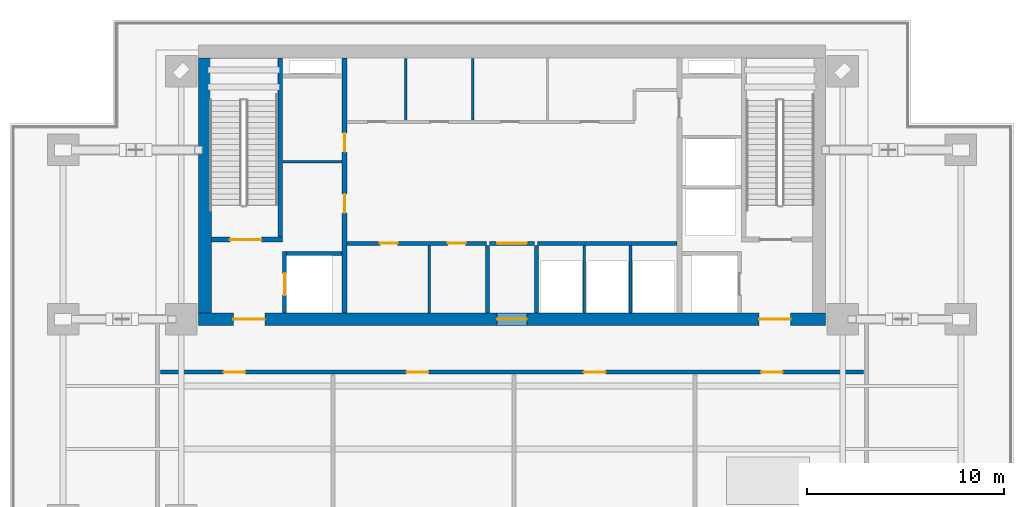
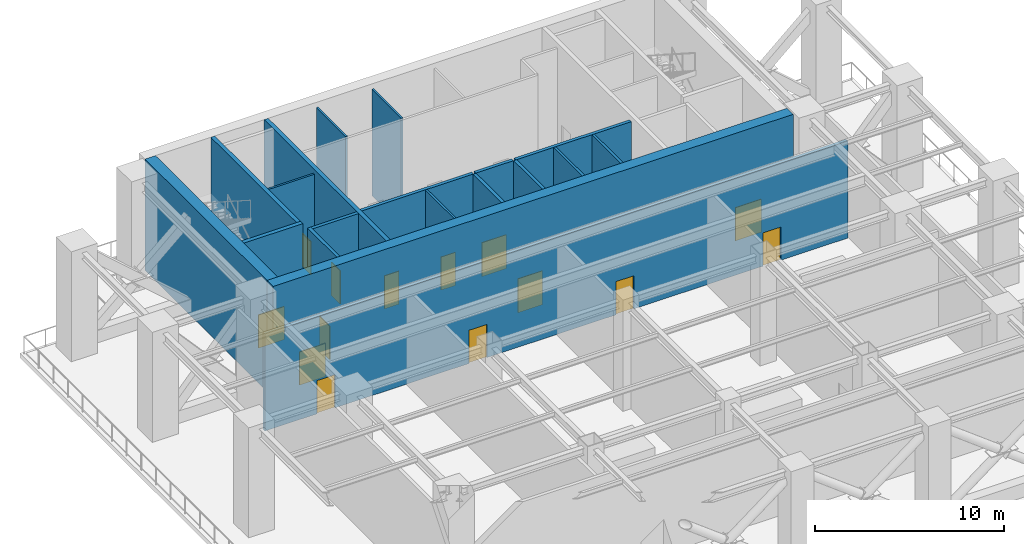
# One storey, part 3 of 9: 19 walls, 14 doors, 14 openings.
"""IFC4 building model written with IfcOpenShell, lengths in metres."""

from ifc_helpers import new_model, si_unit, direction, frame, frame_2d, origin, place, context, subcontext, project, spatial, rectangle, extrude, source, transform, mapped, material, layer, layer_set, type_object, element, fill, save


model = new_model("IFC4")

# Units and contexts
model_context = context("Model", 3, precision=1e-05, world=origin(), true_north=direction((0.0, 1.0)))
body_context = subcontext(model_context, "Body", "Model", "MODEL_VIEW")
ifc_project = project(units=[si_unit("LENGTHUNIT", "METRE"), si_unit("AREAUNIT", "SQUARE_METRE"), si_unit("VOLUMEUNIT", "CUBIC_METRE"), si_unit("PLANEANGLEUNIT", "RADIAN"), si_unit("MASSUNIT", "GRAM", prefix="KILO")], contexts=[model_context])

# Site, building, storey
site_placement = place(None, origin())
site = spatial("IfcSite", under=ifc_project, at=site_placement, CompositionType="ELEMENT")
building_placement = place(site_placement, origin())
building = spatial("IfcBuilding", under=site, at=building_placement, Name="Sumidabori Civic Tower", CompositionType="ELEMENT")
storey_placement = place(building_placement, frame((0.0, 0.0, 124.39990234375)))
storey = spatial("IfcBuildingStorey", under=building, at=storey_placement, Name="L32", CompositionType="ELEMENT", Elevation=124.39990234375)

# Wall
ifc_material_1 = material(Name="Concrete C50/60", Category="concrete")
ifc_layer_1 = layer(ifc_material_1, 0.199951171875, Name="Concrete C50/60")
ifc_layer_set_1 = layer_set([ifc_layer_1], Name="Concrete C50/60")
wall_type_1 = type_object("IfcWallType", Name="WL-SHAFT-200", PredefinedType="SHEAR", material=ifc_layer_set_1)
shared_shape_1 = source(origin(), body_context, "Body", "SweptSolid", [
    extrude(rectangle(XDim=2.824951171875, YDim=0.199951171875, at=frame_2d((1.41259765625, 0.0))), origin(), (0.0, 0.0, 1.0), 7.2001953125),
])
wall_1_placement = place(storey_placement, frame((-11.449951171875, 13.550048828125, 0.0), z_axis=(0.0, 0.0, 1.0), x_axis=(1.0, 0.0, 0.0)))
element("IfcWall", 1, at=wall_1_placement, inside=storey, type_object=wall_type_1, Name="Core Shear Wall L32 EL1-N", PredefinedType="SHEAR", context=body_context, shape_type="MappedRepresentation", body=[
    mapped(shared_shape_1, transform((0.0, 0.0, 0.0), x_axis=(1.0, 0.0, 0.0), y_axis=(0.0, 1.0, 0.0), z_axis=(0.0, 0.0, 1.0), scale=1.0)),
])

# Wall, openings, doors
ifc_material_2 = material(Name="Concrete C60/75", Category="concrete")
ifc_layer_2 = layer(ifc_material_2, 0.64990234375, Name="Concrete C60/75")
ifc_layer_set_2 = layer_set([ifc_layer_2], Name="Concrete C60/75")
wall_type_2 = type_object("IfcWallType", Name="WL-CORE-650", PredefinedType="SHEAR", material=ifc_layer_set_2)
shared_shape_2 = source(origin(), body_context, "Body", "SweptSolid", [
    extrude(rectangle(XDim=31.85009765625, YDim=0.64990234375, at=frame_2d((15.925048828125, 0.0))), origin(), (0.0, 0.0, 1.0), 7.2001953125),
])
wall_2_placement = place(storey_placement, frame((-15.925048828125, 10.199951171875, 0.0), z_axis=(0.0, 0.0, 1.0), x_axis=(1.0, 0.0, 0.0)))
wall_2 = element("IfcWall", 2, at=wall_2_placement, inside=storey, type_object=wall_type_2, Name="Core Shear Wall L32 S", PredefinedType="SHEAR", context=body_context, shape_type="MappedRepresentation", body=[
    mapped(shared_shape_2, transform((0.0, 0.0, 0.0), x_axis=(1.0, 0.0, 0.0), y_axis=(0.0, 1.0, 0.0), z_axis=(0.0, 0.0, 1.0), scale=1.0)),
])
opening_1_placement = place(wall_2_placement, frame((1.77490234375, 0.0, 0.0)))
opening_1 = element("IfcOpeningElement", 3, at=opening_1_placement, cuts=wall_2, Name="Opening DR-FD4", PredefinedType="OPENING", context=body_context, shape_type="SweptSolid", body=[
    extrude(rectangle(XDim=1.60009765625, YDim=2.14990234375, at=frame_2d((0.800048828125, 1.074951171875))), frame((0.0, 0.3369140625, 0.0), z_axis=(0.0, -1.0, 0.0), x_axis=(1.0, 0.0, 0.0)), (0.0, 0.0, 1.0), 0.673828125),
])
opening_2_placement = place(wall_2_placement, frame((28.47509765625, 0.0, 0.0)))
opening_2 = element("IfcOpeningElement", 4, at=opening_2_placement, cuts=wall_2, Name="Opening DR-FD4", PredefinedType="OPENING", context=body_context, shape_type="SweptSolid", body=[
    extrude(rectangle(XDim=1.60009765625, YDim=2.14990234375, at=frame_2d((0.800048828125, 1.074951171875))), frame((0.0, 0.3369140625, 0.0), z_axis=(0.0, -1.0, 0.0), x_axis=(1.0, 0.0, 0.0)), (0.0, 0.0, 1.0), 0.673828125),
])
opening_3_placement = place(wall_2_placement, frame((15.175048828125, 0.0, 0.0)))
opening_3 = element("IfcOpeningElement", 5, at=opening_3_placement, cuts=wall_2, Name="Opening DR-FD3", PredefinedType="OPENING", context=body_context, shape_type="SweptSolid", body=[
    extrude(rectangle(XDim=1.5, YDim=2.199951171875, at=frame_2d((0.75, 1.10009765625))), frame((0.0, 0.3369140625, 0.0), z_axis=(0.0, -1.0, 0.0), x_axis=(1.0, 0.0, 0.0)), (0.0, 0.0, 1.0), 0.673828125),
])
ifc_material_3 = material(Name="Steel SN490", Category="steel")
door_type_1 = type_object("IfcDoorType", Name="DR-FD4", OperationType="DOUBLE_DOOR_SINGLE_SWING", PredefinedType="DOOR", material=ifc_material_3)
shared_shape_3 = source(origin(), body_context, "Body", "SweptSolid", [
    extrude(rectangle(XDim=1.60009765625, YDim=2.14990234375, at=frame_2d((0.800048828125, 1.074951171875))), frame((0.0, 0.02490234375, 0.0), z_axis=(0.0, -1.0, 0.0), x_axis=(1.0, 0.0, 0.0)), (0.0, 0.0, 1.0), 0.050048828125),
])
door_1_placement = place(opening_1_placement, origin())
door_1 = element("IfcDoor", 6, at=door_1_placement, inside=storey, type_object=door_type_1, Name="Door DR:L32:ELOB-W", OperationType="DOUBLE_DOOR_SINGLE_SWING", OverallHeight=2.14990234375, OverallWidth=1.60009765625, PredefinedType="DOOR", context=body_context, shape_type="MappedRepresentation", body=[
    mapped(shared_shape_3, transform((0.0, 0.0, 0.0), x_axis=(1.0, 0.0, 0.0), y_axis=(0.0, 1.0, 0.0), z_axis=(0.0, 0.0, 1.0), scale=1.0)),
])
fill(opening_1, door_1)
door_2_placement = place(opening_2_placement, origin())
door_2 = element("IfcDoor", 7, at=door_2_placement, inside=storey, type_object=door_type_1, Name="Door DR:L32:ELOB-E", OperationType="DOUBLE_DOOR_SINGLE_SWING", OverallHeight=2.14990234375, OverallWidth=1.60009765625, PredefinedType="DOOR", context=body_context, shape_type="MappedRepresentation", body=[
    mapped(shared_shape_3, transform((0.0, 0.0, 0.0), x_axis=(1.0, 0.0, 0.0), y_axis=(0.0, 1.0, 0.0), z_axis=(0.0, 0.0, 1.0), scale=1.0)),
])
fill(opening_2, door_2)
door_type_2 = type_object("IfcDoorType", Name="DR-FD-DBL", OperationType="DOUBLE_DOOR_SINGLE_SWING", PredefinedType="DOOR", material=ifc_material_3)
shared_shape_4 = source(origin(), body_context, "Body", "SweptSolid", [
    extrude(rectangle(XDim=1.5, YDim=2.199951171875, at=frame_2d((0.75, 1.10009765625))), frame((0.0, 0.02490234375, 0.0), z_axis=(0.0, -1.0, 0.0), x_axis=(1.0, 0.0, 0.0)), (0.0, 0.0, 1.0), 0.050048828125),
])
door_3_placement = place(opening_3_placement, origin())
door_3 = element("IfcDoor", 8, at=door_3_placement, inside=storey, type_object=door_type_2, Name="Door DR:L32:THROAT-OUT", OperationType="DOUBLE_DOOR_SINGLE_SWING", OverallHeight=2.199951171875, OverallWidth=1.5, PredefinedType="DOOR", context=body_context, shape_type="MappedRepresentation", body=[
    mapped(shared_shape_4, transform((0.0, 0.0, 0.0), x_axis=(1.0, 0.0, 0.0), y_axis=(0.0, 1.0, 0.0), z_axis=(0.0, 0.0, 1.0), scale=1.0)),
])
fill(opening_3, door_3)

# Wall
shared_shape_5 = source(origin(), body_context, "Body", "SweptSolid", [
    extrude(rectangle(XDim=12.9501953125, YDim=0.64990234375, at=frame_2d((6.47509765625, 0.0))), origin(), (0.0, 0.0, 1.0), 7.2001953125),
])
wall_3_placement = place(storey_placement, frame((-15.60009765625, 10.52490234375, 0.0), z_axis=(0.0, 0.0, 1.0), x_axis=(0.0, 1.0, 0.0)))
element("IfcWall", 9, at=wall_3_placement, inside=storey, type_object=wall_type_2, Name="Core Shear Wall L32 W", PredefinedType="SHEAR", context=body_context, shape_type="MappedRepresentation", body=[
    mapped(shared_shape_5, transform((0.0, 0.0, 0.0), x_axis=(1.0, 0.0, 0.0), y_axis=(0.0, 1.0, 0.0), z_axis=(0.0, 0.0, 1.0), scale=1.0)),
])

# Wall, openings, doors
ifc_layer_3 = layer(ifc_material_1, 0.25, Name="Concrete C50/60")
ifc_layer_set_3 = layer_set([ifc_layer_3], Name="Concrete C50/60")
wall_type_3 = type_object("IfcWallType", Name="WL-SHAFT-250", PredefinedType="SHEAR", material=ifc_layer_set_3)
shared_shape_6 = source(origin(), body_context, "Body", "SweptSolid", [
    extrude(rectangle(XDim=12.9501953125, YDim=0.25, at=frame_2d((6.47509765625, 0.0))), origin(), (0.0, 0.0, 1.0), 7.2001953125),
])
wall_4_placement = place(storey_placement, frame((-8.5, 10.52490234375, 0.0), z_axis=(0.0, 0.0, 1.0), x_axis=(0.0, 1.0, 0.0)))
wall_4 = element("IfcWall", 10, at=wall_4_placement, inside=storey, type_object=wall_type_3, Name="Core Shear Wall L32 WEB-W", PredefinedType="SHEAR", context=body_context, shape_type="MappedRepresentation", body=[
    mapped(shared_shape_6, transform((0.0, 0.0, 0.0), x_axis=(1.0, 0.0, 0.0), y_axis=(0.0, 1.0, 0.0), z_axis=(0.0, 0.0, 1.0), scale=1.0)),
])
opening_4_placement = place(wall_4_placement, frame((5.074951171875, 0.0, 0.0)))
opening_4 = element("IfcOpeningElement", 11, at=opening_4_placement, cuts=wall_4, Name="Opening DR-FD2", PredefinedType="OPENING", context=body_context, shape_type="SweptSolid", body=[
    extrude(rectangle(XDim=0.949951171875, YDim=2.14990234375, at=frame_2d((0.47509765625, 1.074951171875))), frame((0.0, 0.136962890625, 0.0), z_axis=(0.0, -1.0, 0.0), x_axis=(1.0, 0.0, 0.0)), (0.0, 0.0, 1.0), 0.27392578125),
])
opening_5_placement = place(wall_4_placement, frame((8.175048828125, 0.0, 0.0)))
opening_5 = element("IfcOpeningElement", 12, at=opening_5_placement, cuts=wall_4, Name="Opening DR-FD2", PredefinedType="OPENING", context=body_context, shape_type="SweptSolid", body=[
    extrude(rectangle(XDim=0.949951171875, YDim=2.14990234375, at=frame_2d((0.47509765625, 1.074951171875))), frame((0.0, 0.136962890625, 0.0), z_axis=(0.0, -1.0, 0.0), x_axis=(1.0, 0.0, 0.0)), (0.0, 0.0, 1.0), 0.27392578125),
])
door_type_3 = type_object("IfcDoorType", Name="DR-FD2", OperationType="NOTDEFINED", PredefinedType="DOOR", material=ifc_material_3)
shared_shape_7 = source(origin(), body_context, "Body", "SweptSolid", [
    extrude(rectangle(XDim=0.949951171875, YDim=2.14990234375, at=frame_2d((0.47509765625, 1.074951171875))), frame((0.0, 0.02490234375, 0.0), z_axis=(0.0, -1.0, 0.0), x_axis=(1.0, 0.0, 0.0)), (0.0, 0.0, 1.0), 0.050048828125),
])
door_4_placement = place(opening_4_placement, origin())
door_4 = element("IfcDoor", 13, at=door_4_placement, inside=storey, type_object=door_type_3, Name="Door DR:L32:CW-S1", OperationType="SINGLE_SWING_LEFT", OverallHeight=2.14990234375, OverallWidth=0.949951171875, PredefinedType="DOOR", context=body_context, shape_type="MappedRepresentation", body=[
    mapped(shared_shape_7, transform((0.0, 0.0, 0.0), x_axis=(1.0, 0.0, 0.0), y_axis=(0.0, 1.0, 0.0), z_axis=(0.0, 0.0, 1.0), scale=1.0)),
])
fill(opening_4, door_4)
door_5_placement = place(opening_5_placement, origin())
door_5 = element("IfcDoor", 14, at=door_5_placement, inside=storey, type_object=door_type_3, Name="Door DR:L32:CW-S2", OperationType="SINGLE_SWING_RIGHT", OverallHeight=2.14990234375, OverallWidth=0.949951171875, PredefinedType="DOOR", context=body_context, shape_type="MappedRepresentation", body=[
    mapped(shared_shape_7, transform((0.0, 0.0, 0.0), x_axis=(1.0, 0.0, 0.0), y_axis=(0.0, 1.0, 0.0), z_axis=(0.0, 0.0, 1.0), scale=1.0)),
])
fill(opening_5, door_5)

# Wall, opening, door
shared_shape_8 = source(origin(), body_context, "Body", "SweptSolid", [
    extrude(rectangle(XDim=3.6298828125, YDim=0.25, at=frame_2d((1.81494140625, 0.0))), origin(), (0.0, 0.0, 1.0), 7.2001953125),
])
wall_5_placement = place(storey_placement, frame((-15.27490234375, 14.25, 0.0), z_axis=(0.0, 0.0, 1.0), x_axis=(1.0, 0.0, 0.0)))
wall_5 = element("IfcWall", 15, at=wall_5_placement, inside=storey, type_object=wall_type_3, Name="Core Shear Wall L32 ST1-S", PredefinedType="SHEAR", context=body_context, shape_type="MappedRepresentation", body=[
    mapped(shared_shape_8, transform((0.0, 0.0, 0.0), x_axis=(1.0, 0.0, 0.0), y_axis=(0.0, 1.0, 0.0), z_axis=(0.0, 0.0, 1.0), scale=1.0)),
])
opening_6_placement = place(wall_5_placement, frame((0.949951171875, 0.0, 0.0)))
opening_6 = element("IfcOpeningElement", 16, at=opening_6_placement, cuts=wall_5, Name="Opening DR-FD4", PredefinedType="OPENING", context=body_context, shape_type="SweptSolid", body=[
    extrude(rectangle(XDim=1.60009765625, YDim=2.14990234375, at=frame_2d((0.800048828125, 1.074951171875))), frame((0.0, 0.136962890625, 0.0), z_axis=(0.0, -1.0, 0.0), x_axis=(1.0, 0.0, 0.0)), (0.0, 0.0, 1.0), 0.27392578125),
])
door_6_placement = place(opening_6_placement, origin())
door_6 = element("IfcDoor", 17, at=door_6_placement, inside=storey, type_object=door_type_1, Name="Door DR:L32:ST1", OperationType="DOUBLE_DOOR_SINGLE_SWING", OverallHeight=2.14990234375, OverallWidth=1.60009765625, PredefinedType="DOOR", context=body_context, shape_type="MappedRepresentation", body=[
    mapped(shared_shape_3, transform((0.0, 0.0, 0.0), x_axis=(1.0, 0.0, 0.0), y_axis=(0.0, 1.0, 0.0), z_axis=(0.0, 0.0, 1.0), scale=1.0)),
])
fill(opening_6, door_6)

# Wall
shared_shape_9 = source(origin(), body_context, "Body", "SweptSolid", [
    extrude(rectangle(XDim=9.10009765625, YDim=0.25, at=frame_2d((4.550048828125, 0.0))), origin(), (0.0, 0.0, 1.0), 7.2001953125),
])
wall_6_placement = place(storey_placement, frame((-11.77001953125, 14.375, 0.0), z_axis=(0.0, 0.0, 1.0), x_axis=(0.0, 1.0, 0.0)))
element("IfcWall", 18, at=wall_6_placement, inside=storey, type_object=wall_type_3, Name="Core Shear Wall L32 ST1-E", PredefinedType="SHEAR", context=body_context, shape_type="MappedRepresentation", body=[
    mapped(shared_shape_9, transform((0.0, 0.0, 0.0), x_axis=(1.0, 0.0, 0.0), y_axis=(0.0, 1.0, 0.0), z_axis=(0.0, 0.0, 1.0), scale=1.0)),
])

# Wall, opening, door
shared_shape_10 = source(origin(), body_context, "Body", "SweptSolid", [
    extrude(rectangle(XDim=3.125, YDim=0.199951171875, at=frame_2d((1.5625, 0.0))), origin(), (0.0, 0.0, 1.0), 7.2001953125),
])
wall_7_placement = place(storey_placement, frame((-11.550048828125, 10.52490234375, 0.0), z_axis=(0.0, 0.0, 1.0), x_axis=(0.0, 1.0, 0.0)))
wall_7 = element("IfcWall", 19, at=wall_7_placement, inside=storey, type_object=wall_type_1, Name="Core Shear Wall L32 EL1-W", PredefinedType="SHEAR", context=body_context, shape_type="MappedRepresentation", body=[
    mapped(shared_shape_10, transform((0.0, 0.0, 0.0), x_axis=(1.0, 0.0, 0.0), y_axis=(0.0, 1.0, 0.0), z_axis=(0.0, 0.0, 1.0), scale=1.0)),
])
opening_7_placement = place(wall_7_placement, frame((0.89990234375, 0.0, 0.0)))
opening_7 = element("IfcOpeningElement", 20, at=opening_7_placement, cuts=wall_7, Name="Opening LD-2", PredefinedType="OPENING", context=body_context, shape_type="SweptSolid", body=[
    extrude(rectangle(XDim=1.10009765625, YDim=2.14990234375, at=frame_2d((0.550048828125, 1.074951171875))), frame((0.0, 0.11181640625, 0.0), z_axis=(0.0, -1.0, 0.0), x_axis=(1.0, 0.0, 0.0)), (0.0, 0.0, 1.0), 0.223876953125),
])
ifc_material_4 = material(Name="Stainless Steel Hairline Finish", Category="steel")
door_type_4 = type_object("IfcDoorType", Name="DR-LD2", OperationType="DOUBLE_DOOR_SLIDING", PredefinedType="DOOR", material=ifc_material_4)
shared_shape_11 = source(origin(), body_context, "Body", "SweptSolid", [
    extrude(rectangle(XDim=1.10009765625, YDim=2.14990234375, at=frame_2d((0.550048828125, 1.074951171875))), frame((0.0, 0.02490234375, 0.0), z_axis=(0.0, -1.0, 0.0), x_axis=(1.0, 0.0, 0.0)), (0.0, 0.0, 1.0), 0.050048828125),
])
door_7_placement = place(opening_7_placement, origin())
door_7 = element("IfcDoor", 21, at=door_7_placement, inside=storey, type_object=door_type_4, Name="Door DR:L32:LD-EL1", OperationType="DOUBLE_DOOR_SLIDING", OverallHeight=2.14990234375, OverallWidth=1.10009765625, PredefinedType="DOOR", context=body_context, shape_type="MappedRepresentation", body=[
    mapped(shared_shape_11, transform((0.0, 0.0, 0.0), x_axis=(1.0, 0.0, 0.0), y_axis=(0.0, 1.0, 0.0), z_axis=(0.0, 0.0, 1.0), scale=1.0)),
])
fill(opening_7, door_7)

# Wall, openings, doors
ifc_material_5 = material(Name="Gypsum Plasterboard Fire Partition")
ifc_layer_4 = layer(ifc_material_5, 0.199951171875, Name="Gypsum Plasterboard Fire Partition")
ifc_layer_set_4 = layer_set([ifc_layer_4], Name="Gypsum Plasterboard Fire Partition")
wall_type_4 = type_object("IfcWallType", Name="WL-PART-FIRE", PredefinedType="PARTITIONING", material=ifc_layer_set_4)
shared_shape_12 = source(origin(), body_context, "Body", "SweptSolid", [
    extrude(rectangle(XDim=7.070068359375, YDim=0.199951171875, at=frame_2d((3.53515625, 0.0))), origin(), (0.0, 0.0, 1.0), 6.900146484375),
])
wall_8_placement = place(storey_placement, frame((-8.3701171875, 14.050048828125, 0.0), z_axis=(0.0, 0.0, 1.0), x_axis=(1.0, 0.0, 0.0)))
wall_8 = element("IfcWall", 22, at=wall_8_placement, inside=storey, type_object=wall_type_4, Name="Interior Partition WL:L32:CBAND-SW", PredefinedType="PARTITIONING", context=body_context, shape_type="MappedRepresentation", body=[
    mapped(shared_shape_12, transform((0.0, 0.0, 0.0), x_axis=(1.0, 0.0, 0.0), y_axis=(0.0, 1.0, 0.0), z_axis=(0.0, 0.0, 1.0), scale=1.0)),
])
opening_8_placement = place(wall_8_placement, frame((1.659912109375, 0.0, 0.0)))
opening_8 = element("IfcOpeningElement", 23, at=opening_8_placement, cuts=wall_8, Name="Opening DR-1", PredefinedType="OPENING", context=body_context, shape_type="SweptSolid", body=[
    extrude(rectangle(XDim=0.89990234375, YDim=2.14990234375, at=frame_2d((0.449951171875, 1.074951171875))), frame((0.0, 0.11181640625, 0.0), z_axis=(0.0, -1.0, 0.0), x_axis=(1.0, 0.0, 0.0)), (0.0, 0.0, 1.0), 0.223876953125),
])
opening_9_placement = place(wall_8_placement, frame((5.110107421875, 0.0, 0.0)))
opening_9 = element("IfcOpeningElement", 24, at=opening_9_placement, cuts=wall_8, Name="Opening DR-1", PredefinedType="OPENING", context=body_context, shape_type="SweptSolid", body=[
    extrude(rectangle(XDim=0.89990234375, YDim=2.14990234375, at=frame_2d((0.449951171875, 1.074951171875))), frame((0.0, 0.11181640625, 0.0), z_axis=(0.0, -1.0, 0.0), x_axis=(1.0, 0.0, 0.0)), (0.0, 0.0, 1.0), 0.223876953125),
])
ifc_material_6 = material(Name="Japanese Hinoki Timber", Category="wood")
door_type_5 = type_object("IfcDoorType", Name="DR-INT-900", OperationType="NOTDEFINED", PredefinedType="DOOR", material=ifc_material_6)
shared_shape_13 = source(origin(), body_context, "Body", "SweptSolid", [
    extrude(rectangle(XDim=0.89990234375, YDim=2.14990234375, at=frame_2d((0.449951171875, 1.074951171875))), frame((0.0, 0.02490234375, 0.0), z_axis=(0.0, -1.0, 0.0), x_axis=(1.0, 0.0, 0.0)), (0.0, 0.0, 1.0), 0.050048828125),
])
door_8_placement = place(opening_8_placement, origin())
door_8 = element("IfcDoor", 25, at=door_8_placement, inside=storey, type_object=door_type_5, Name="Door DR:L32:REC-B1A", OperationType="SINGLE_SWING_LEFT", OverallHeight=2.14990234375, OverallWidth=0.89990234375, PredefinedType="DOOR", context=body_context, shape_type="MappedRepresentation", body=[
    mapped(shared_shape_13, transform((0.0, 0.0, 0.0), x_axis=(1.0, 0.0, 0.0), y_axis=(0.0, 1.0, 0.0), z_axis=(0.0, 0.0, 1.0), scale=1.0)),
])
fill(opening_8, door_8)
door_9_placement = place(opening_9_placement, origin())
door_9 = element("IfcDoor", 26, at=door_9_placement, inside=storey, type_object=door_type_5, Name="Door DR:L32:REC-B1B", OperationType="SINGLE_SWING_RIGHT", OverallHeight=2.14990234375, OverallWidth=0.89990234375, PredefinedType="DOOR", context=body_context, shape_type="MappedRepresentation", body=[
    mapped(shared_shape_13, transform((0.0, 0.0, 0.0), x_axis=(1.0, 0.0, 0.0), y_axis=(0.0, 1.0, 0.0), z_axis=(0.0, 0.0, 1.0), scale=1.0)),
])
fill(opening_9, door_9)

# Wall
wall_9_placement = place(storey_placement, frame((1.300048828125, 14.050048828125, 0.0), z_axis=(0.0, 0.0, 1.0), x_axis=(1.0, 0.0, 0.0)))
element("IfcWall", 27, at=wall_9_placement, inside=storey, type_object=wall_type_4, Name="Interior Partition WL:L32:CBAND-SE", PredefinedType="PARTITIONING", context=body_context, shape_type="MappedRepresentation", body=[
    mapped(shared_shape_12, transform((0.0, 0.0, 0.0), x_axis=(1.0, 0.0, 0.0), y_axis=(0.0, 1.0, 0.0), z_axis=(0.0, 0.0, 1.0), scale=1.0)),
])

# Wall, opening, door
shared_shape_14 = source(origin(), body_context, "Body", "SweptSolid", [
    extrude(rectangle(XDim=2.2998046875, YDim=0.199951171875, at=frame_2d((1.14990234375, 0.0))), origin(), (0.0, 0.0, 1.0), 6.900146484375),
])
wall_10_placement = place(storey_placement, frame((-1.14990234375, 14.050048828125, 0.0), z_axis=(0.0, 0.0, 1.0), x_axis=(1.0, 0.0, 0.0)))
wall_10 = element("IfcWall", 28, at=wall_10_placement, inside=storey, type_object=wall_type_4, Name="Interior Partition WL:L32:THROAT-N", PredefinedType="PARTITIONING", context=body_context, shape_type="MappedRepresentation", body=[
    mapped(shared_shape_14, transform((0.0, 0.0, 0.0), x_axis=(1.0, 0.0, 0.0), y_axis=(0.0, 1.0, 0.0), z_axis=(0.0, 0.0, 1.0), scale=1.0)),
])
opening_10_placement = place(wall_10_placement, frame((0.39990234375, 0.0, 0.0)))
opening_10 = element("IfcOpeningElement", 29, at=opening_10_placement, cuts=wall_10, Name="Opening DR-FD3", PredefinedType="OPENING", context=body_context, shape_type="SweptSolid", body=[
    extrude(rectangle(XDim=1.5, YDim=2.199951171875, at=frame_2d((0.75, 1.10009765625))), frame((0.0, 0.11181640625, 0.0), z_axis=(0.0, -1.0, 0.0), x_axis=(1.0, 0.0, 0.0)), (0.0, 0.0, 1.0), 0.223876953125),
])
door_10_placement = place(opening_10_placement, origin())
door_10 = element("IfcDoor", 30, at=door_10_placement, inside=storey, type_object=door_type_2, Name="Door DR:L32:THROAT-IN", OperationType="DOUBLE_DOOR_SINGLE_SWING", OverallHeight=2.199951171875, OverallWidth=1.5, PredefinedType="DOOR", context=body_context, shape_type="MappedRepresentation", body=[
    mapped(shared_shape_4, transform((0.0, 0.0, 0.0), x_axis=(1.0, 0.0, 0.0), y_axis=(0.0, 1.0, 0.0), z_axis=(0.0, 0.0, 1.0), scale=1.0)),
])
fill(opening_10, door_10)

# Wall, openings, doors
shared_shape_15 = source(origin(), body_context, "Body", "SweptSolid", [
    extrude(rectangle(XDim=35.7001953125, YDim=0.199951171875, at=frame_2d((17.85009765625, 0.0))), origin(), (0.0, 0.0, 1.0), 6.28515625),
])
wall_11_placement = place(storey_placement, frame((-17.85009765625, 7.52001953125, 0.0), z_axis=(0.0, 0.0, 1.0), x_axis=(1.0, 0.0, 0.0)))
wall_11 = element("IfcWall", 31, at=wall_11_placement, inside=storey, type_object=wall_type_4, Name="Interior Partition WL:L32:PCORR-S", PredefinedType="PARTITIONING", context=body_context, shape_type="MappedRepresentation", body=[
    mapped(shared_shape_15, transform((0.0, 0.0, 0.0), x_axis=(1.0, 0.0, 0.0), y_axis=(0.0, 1.0, 0.0), z_axis=(0.0, 0.0, 1.0), scale=1.0)),
])
opening_11_placement = place(wall_11_placement, frame((3.199951171875, 0.0, 0.0)))
opening_11 = element("IfcOpeningElement", 32, at=opening_11_placement, cuts=wall_11, Name="Opening DR-FD1", PredefinedType="OPENING", context=body_context, shape_type="SweptSolid", body=[
    extrude(rectangle(XDim=1.10009765625, YDim=2.14990234375, at=frame_2d((0.550048828125, 1.074951171875))), frame((0.0, 0.11181640625, 0.0), z_axis=(0.0, -1.0, 0.0), x_axis=(1.0, 0.0, 0.0)), (0.0, 0.0, 1.0), 0.223876953125),
])
opening_12_placement = place(wall_11_placement, frame((12.5, 0.0, 0.0)))
opening_12 = element("IfcOpeningElement", 33, at=opening_12_placement, cuts=wall_11, Name="Opening DR-FD1", PredefinedType="OPENING", context=body_context, shape_type="SweptSolid", body=[
    extrude(rectangle(XDim=1.10009765625, YDim=2.14990234375, at=frame_2d((0.550048828125, 1.074951171875))), frame((0.0, 0.11181640625, 0.0), z_axis=(0.0, -1.0, 0.0), x_axis=(1.0, 0.0, 0.0)), (0.0, 0.0, 1.0), 0.223876953125),
])
opening_13_placement = place(wall_11_placement, frame((21.5, 0.0, 0.0)))
opening_13 = element("IfcOpeningElement", 34, at=opening_13_placement, cuts=wall_11, Name="Opening DR-FD1", PredefinedType="OPENING", context=body_context, shape_type="SweptSolid", body=[
    extrude(rectangle(XDim=1.10009765625, YDim=2.14990234375, at=frame_2d((0.550048828125, 1.074951171875))), frame((0.0, 0.11181640625, 0.0), z_axis=(0.0, -1.0, 0.0), x_axis=(1.0, 0.0, 0.0)), (0.0, 0.0, 1.0), 0.223876953125),
])
opening_14_placement = place(wall_11_placement, frame((30.5, 0.0, 0.0)))
opening_14 = element("IfcOpeningElement", 35, at=opening_14_placement, cuts=wall_11, Name="Opening DR-FD1", PredefinedType="OPENING", context=body_context, shape_type="SweptSolid", body=[
    extrude(rectangle(XDim=1.10009765625, YDim=2.14990234375, at=frame_2d((0.550048828125, 1.074951171875))), frame((0.0, 0.11181640625, 0.0), z_axis=(0.0, -1.0, 0.0), x_axis=(1.0, 0.0, 0.0)), (0.0, 0.0, 1.0), 0.223876953125),
])
door_type_6 = type_object("IfcDoorType", Name="DR-FD1", OperationType="NOTDEFINED", PredefinedType="DOOR", material=ifc_material_3)
shared_shape_16 = source(origin(), body_context, "Body", "SweptSolid", [
    extrude(rectangle(XDim=1.10009765625, YDim=2.14990234375, at=frame_2d((0.550048828125, 1.074951171875))), frame((0.0, 0.02490234375, 0.0), z_axis=(0.0, -1.0, 0.0), x_axis=(1.0, 0.0, 0.0)), (0.0, 0.0, 1.0), 0.050048828125),
])
door_11_placement = place(opening_11_placement, origin())
door_11 = element("IfcDoor", 36, at=door_11_placement, inside=storey, type_object=door_type_6, Name="Door DR:L32:PL-1", OperationType="SINGLE_SWING_LEFT", OverallHeight=2.14990234375, OverallWidth=1.10009765625, PredefinedType="DOOR", context=body_context, shape_type="MappedRepresentation", body=[
    mapped(shared_shape_16, transform((0.0, 0.0, 0.0), x_axis=(1.0, 0.0, 0.0), y_axis=(0.0, 1.0, 0.0), z_axis=(0.0, 0.0, 1.0), scale=1.0)),
])
fill(opening_11, door_11)
door_12_placement = place(opening_12_placement, origin())
door_12 = element("IfcDoor", 37, at=door_12_placement, inside=storey, type_object=door_type_6, Name="Door DR:L32:PL-2", OperationType="SINGLE_SWING_RIGHT", OverallHeight=2.14990234375, OverallWidth=1.10009765625, PredefinedType="DOOR", context=body_context, shape_type="MappedRepresentation", body=[
    mapped(shared_shape_16, transform((0.0, 0.0, 0.0), x_axis=(1.0, 0.0, 0.0), y_axis=(0.0, 1.0, 0.0), z_axis=(0.0, 0.0, 1.0), scale=1.0)),
])
fill(opening_12, door_12)
door_13_placement = place(opening_13_placement, origin())
door_13 = element("IfcDoor", 38, at=door_13_placement, inside=storey, type_object=door_type_6, Name="Door DR:L32:PL-3", OperationType="SINGLE_SWING_LEFT", OverallHeight=2.14990234375, OverallWidth=1.10009765625, PredefinedType="DOOR", context=body_context, shape_type="MappedRepresentation", body=[
    mapped(shared_shape_16, transform((0.0, 0.0, 0.0), x_axis=(1.0, 0.0, 0.0), y_axis=(0.0, 1.0, 0.0), z_axis=(0.0, 0.0, 1.0), scale=1.0)),
])
fill(opening_13, door_13)
door_14_placement = place(opening_14_placement, origin())
door_14 = element("IfcDoor", 39, at=door_14_placement, inside=storey, type_object=door_type_6, Name="Door DR:L32:PL-4", OperationType="SINGLE_SWING_RIGHT", OverallHeight=2.14990234375, OverallWidth=1.10009765625, PredefinedType="DOOR", context=body_context, shape_type="MappedRepresentation", body=[
    mapped(shared_shape_16, transform((0.0, 0.0, 0.0), x_axis=(1.0, 0.0, 0.0), y_axis=(0.0, 1.0, 0.0), z_axis=(0.0, 0.0, 1.0), scale=1.0)),
])
fill(opening_14, door_14)

# Walls
ifc_material_7 = material(Name="Gypsum Plasterboard Acoustic Partition")
ifc_layer_5 = layer(ifc_material_7, 0.1201171875, Name="Gypsum Plasterboard Acoustic Partition")
ifc_layer_set_5 = layer_set([ifc_layer_5], Name="Gypsum Plasterboard Acoustic Partition")
wall_type_5 = type_object("IfcWallType", Name="WL-PART-120", PredefinedType="PARTITIONING", material=ifc_layer_set_5)
shared_shape_17 = source(origin(), body_context, "Body", "SweptSolid", [
    extrude(rectangle(XDim=3.010009765625, YDim=0.1201171875, at=frame_2d((1.5048828125, 0.0))), origin(), (0.0, 0.0, 1.0), 6.900146484375),
])
wall_12_placement = place(storey_placement, frame((-11.639892578125, 18.199951171875, 0.0), z_axis=(0.0, 0.0, 1.0), x_axis=(1.0, 0.0, 0.0)))
element("IfcWall", 40, at=wall_12_placement, inside=storey, type_object=wall_type_5, Name="Interior Partition WL:L32:CW-MID", PredefinedType="PARTITIONING", context=body_context, shape_type="MappedRepresentation", body=[
    mapped(shared_shape_17, transform((0.0, 0.0, 0.0), x_axis=(1.0, 0.0, 0.0), y_axis=(0.0, 1.0, 0.0), z_axis=(0.0, 0.0, 1.0), scale=1.0)),
])
shared_shape_18 = source(origin(), body_context, "Body", "SweptSolid", [
    extrude(rectangle(XDim=3.4150390625, YDim=0.199951171875, at=frame_2d((1.70751953125, 0.0))), origin(), (0.0, 0.0, 1.0), 6.900146484375),
])
for number, where, z_axis, x_axis, name in (
    (41, (-1.25, 10.52490234375, 0.0), (0.0, 0.0, 1.0), (0.0, 1.0, 0.0), "Interior Partition WL:L32:THROAT-W"),
    (42, (1.25, 10.52490234375, 0.0), (0.0, 0.0, 1.0), (0.0, 1.0, 0.0), "Interior Partition WL:L32:THROAT-E"),
):
    element("IfcWall", number, at=place(storey_placement, frame(where, z_axis=z_axis, x_axis=x_axis)), inside=storey, type_object=wall_type_4, Name=name, PredefinedType="PARTITIONING", context=body_context, shape_type="MappedRepresentation", body=[
        mapped(shared_shape_18, transform((0.0, 0.0, 0.0), x_axis=(1.0, 0.0, 0.0), y_axis=(0.0, 1.0, 0.0), z_axis=(0.0, 0.0, 1.0), scale=1.0)),
    ])
shared_shape_19 = source(origin(), body_context, "Body", "SweptSolid", [
    extrude(rectangle(XDim=3.4150390625, YDim=0.1201171875, at=frame_2d((1.70751953125, 0.0))), origin(), (0.0, 0.0, 1.0), 6.900146484375),
])
wall_13_placement = place(storey_placement, frame((-4.199951171875, 10.52490234375, 0.0), z_axis=(0.0, 0.0, 1.0), x_axis=(0.0, 1.0, 0.0)))
element("IfcWall", 43, at=wall_13_placement, inside=storey, type_object=wall_type_5, Name="Interior Partition WL:L32:REC-B1-SP", PredefinedType="PARTITIONING", context=body_context, shape_type="MappedRepresentation", body=[
    mapped(shared_shape_19, transform((0.0, 0.0, 0.0), x_axis=(1.0, 0.0, 0.0), y_axis=(0.0, 1.0, 0.0), z_axis=(0.0, 0.0, 1.0), scale=1.0)),
])
ifc_layer_6 = layer(ifc_material_7, 0.14990234375, Name="Gypsum Plasterboard Acoustic Partition")
ifc_layer_set_6 = layer_set([ifc_layer_6], Name="Gypsum Plasterboard Acoustic Partition")
wall_type_6 = type_object("IfcWallType", Name="WL-PART-150", PredefinedType="PARTITIONING", material=ifc_layer_set_6)
shared_shape_20 = source(origin(), body_context, "Body", "SweptSolid", [
    extrude(rectangle(XDim=3.4150390625, YDim=0.14990234375, at=frame_2d((1.70751953125, 0.0))), origin(), (0.0, 0.0, 1.0), 6.900146484375),
])
for number, where, z_axis, x_axis, name in (
    (44, (3.669921875, 10.52490234375, 0.0), (0.0, 0.0, 1.0), (0.0, 1.0, 0.0), "Interior Partition WL:L32:DIV-PLM1"),
    (45, (6.02001953125, 10.52490234375, 0.0), (0.0, 0.0, 1.0), (0.0, 1.0, 0.0), "Interior Partition WL:L32:DIV-PLM2"),
):
    element("IfcWall", number, at=place(storey_placement, frame(where, z_axis=z_axis, x_axis=x_axis)), inside=storey, type_object=wall_type_6, Name=name, PredefinedType="PARTITIONING", context=body_context, shape_type="MappedRepresentation", body=[
        mapped(shared_shape_20, transform((0.0, 0.0, 0.0), x_axis=(1.0, 0.0, 0.0), y_axis=(0.0, 1.0, 0.0), z_axis=(0.0, 0.0, 1.0), scale=1.0)),
    ])
shared_shape_21 = source(origin(), body_context, "Body", "SweptSolid", [
    extrude(rectangle(XDim=3.114990234375, YDim=0.1201171875, at=frame_2d((1.5576171875, 0.0))), origin(), (0.0, 0.0, 1.0), 6.900146484375),
])
for number, where, z_axis, x_axis, name in (
    (46, (-5.39990234375, 20.320068359375, 0.0), (0.0, 0.0, 1.0), (0.0, 1.0, 0.0), "Interior Partition WL:L32:LV8-S1"),
    (47, (-2.0, 20.320068359375, 0.0), (0.0, 0.0, 1.0), (0.0, 1.0, 0.0), "Interior Partition WL:L32:LV8-S2"),
):
    element("IfcWall", number, at=place(storey_placement, frame(where, z_axis=z_axis, x_axis=x_axis)), inside=storey, type_object=wall_type_5, Name=name, PredefinedType="PARTITIONING", context=body_context, shape_type="MappedRepresentation", body=[
        mapped(shared_shape_21, transform((0.0, 0.0, 0.0), x_axis=(1.0, 0.0, 0.0), y_axis=(0.0, 1.0, 0.0), z_axis=(0.0, 0.0, 1.0), scale=1.0)),
    ])

save(model, "model.ifc")
